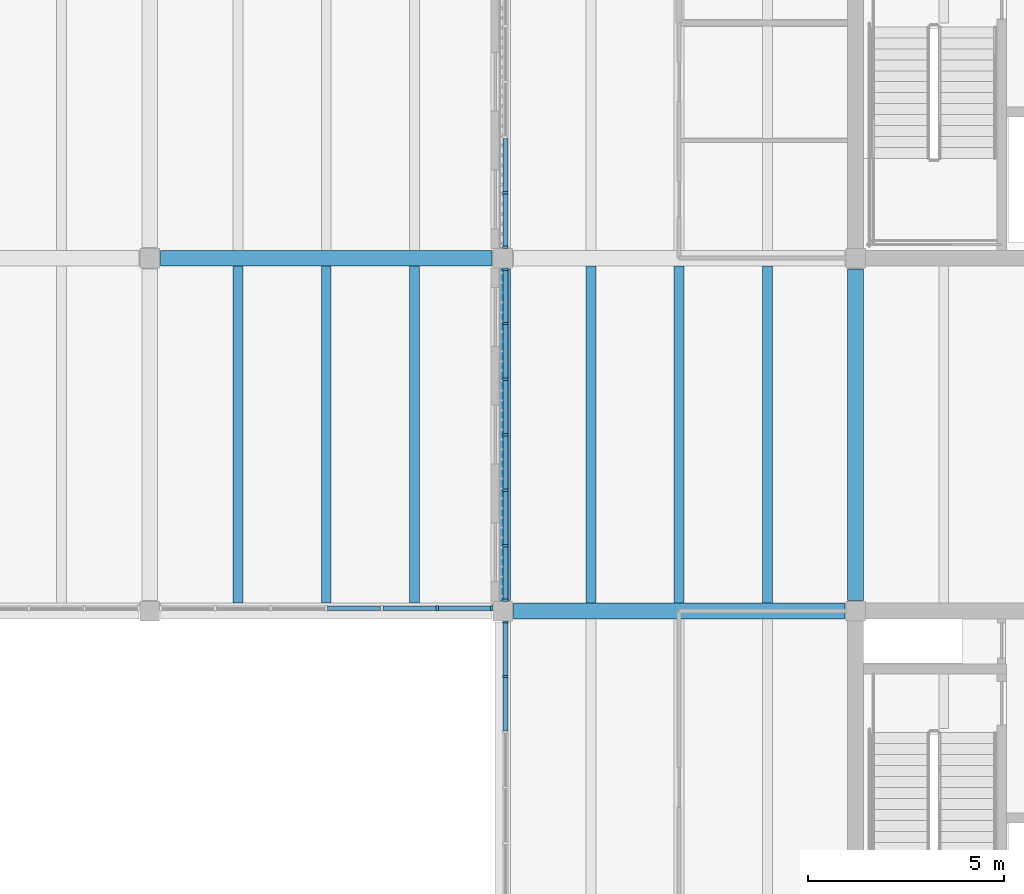
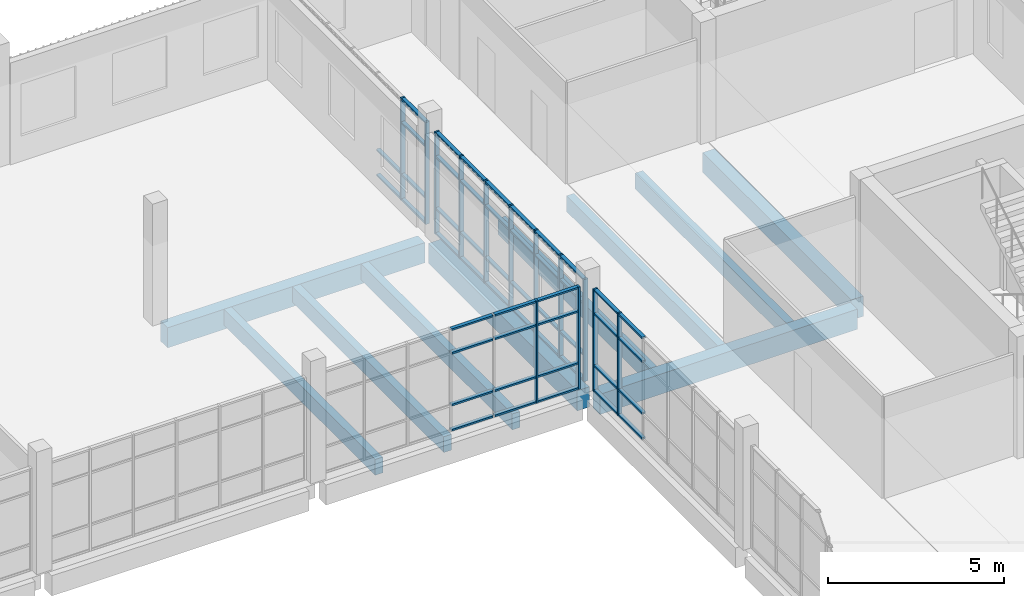
# One storey, part 24 of 92: 63 members, 10 beams, 4 elements without a shape of their own.
"""IFC4 building model written with IfcOpenShell, lengths in metres."""

from ifc_helpers import new_model, si_unit, direction, frame, origin, origin_2d, place, context, subcontext, project, spatial, rectangle, extrude, material, material_profile, profile_set, type_object, element, aggregate, save


model = new_model("IFC4")

# Units and contexts
model_context = context("Model", 3, precision=1e-05, world=origin(), true_north=direction((0.0, 1.0)))
body_context = subcontext(model_context, "Body", "Model", "MODEL_VIEW")
ifc_project = project(units=[si_unit("LENGTHUNIT", "METRE"), si_unit("AREAUNIT", "SQUARE_METRE"), si_unit("VOLUMEUNIT", "CUBIC_METRE"), si_unit("PLANEANGLEUNIT", "RADIAN"), si_unit("MASSUNIT", "GRAM", prefix="KILO")], contexts=[model_context])

# Site, building, storey
site_placement = place(None, origin())
site = spatial("IfcSite", under=ifc_project, at=site_placement, CompositionType="ELEMENT")
building_placement = place(site_placement, origin())
building = spatial("IfcBuilding", under=site, at=building_placement, Name="Merrow Basin Faculty of Sciences", CompositionType="ELEMENT")
storey_placement = place(building_placement, frame((0.0, 0.0, 4.5)))
storey = spatial("IfcBuildingStorey", under=building, at=storey_placement, Name="L01", CompositionType="ELEMENT", Elevation=4.5)

# Curtain wall, members
ifc_material_1 = material(Name="Aluminium alloy 6063", Category="aluminium")
curtain_wall_type = type_object("IfcCurtainWallType", Name="Court curtain wall 140", PredefinedType="NOTDEFINED", material=ifc_material_1)
curtain_wall_1_placement = place(storey_placement, origin())
curtain_wall_1 = element("IfcCurtainWall", 1, at=curtain_wall_1_placement, inside=storey, type_object=curtain_wall_type, Name="Court curtain wall L01 6", PredefinedType="NOTDEFINED")
ifc_material_2 = material(Name="Aluminium alloy 6063", Category="aluminium")
ifc_material_profile_1 = material_profile(ifc_material_2, rectangle(XDim=0.139892578125, YDim=0.06005859375, at=origin_2d()))
ifc_profile_set_1 = profile_set([ifc_material_profile_1], Name="Aluminium alloy 6063")
member_type_1 = type_object("IfcMemberType", Name="Aluminium mullion 60x140", PredefinedType="MULLION", material=ifc_profile_set_1)
member_1_placement = place(storey_placement, frame((54.070068359375, 113.333251953125, 0.0), z_axis=(0.0, 0.0, 1.0), x_axis=(-1.0, 0.0, 0.0)))
member_1 = element("IfcMember", 2, at=member_1_placement, type_object=member_type_1, Name="CW8 mullion 6", PredefinedType="MULLION", context=body_context, shape_type="SweptSolid", body=[
    extrude(rectangle(XDim=0.139892578125, YDim=0.06005859375, at=origin_2d()), origin(), (0.0, 0.0, 1.0), 3.550048828125),
])
member_2_placement = place(storey_placement, frame((54.070068359375, 114.719970703125, 0.0), z_axis=(0.0, 0.0, 1.0), x_axis=(-1.0, 0.0, 0.0)))
member_2 = element("IfcMember", 3, at=member_2_placement, type_object=member_type_1, Name="CW8 mullion 7", PredefinedType="MULLION", context=body_context, shape_type="SweptSolid", body=[
    extrude(rectangle(XDim=0.139892578125, YDim=0.06005859375, at=origin_2d()), origin(), (0.0, 0.0, 1.0), 3.550048828125),
])

curtain_wall_2_placement = place(storey_placement, origin())
curtain_wall_2 = element("IfcCurtainWall", 4, at=curtain_wall_2_placement, inside=storey, type_object=curtain_wall_type, Name="Court curtain wall L01 7", PredefinedType="NOTDEFINED")
member_3_placement = place(storey_placement, frame((54.070068359375, 115.280029296875, 0.0), z_axis=(0.0, 0.0, 1.0), x_axis=(-1.0, 0.0, 0.0)))
member_3 = element("IfcMember", 5, at=member_3_placement, type_object=member_type_1, Name="CW8 mullion 1", PredefinedType="MULLION", context=body_context, shape_type="SweptSolid", body=[
    extrude(rectangle(XDim=0.139892578125, YDim=0.06005859375, at=origin_2d()), origin(), (0.0, 0.0, 1.0), 3.550048828125),
])
member_4_placement = place(storey_placement, frame((54.070068359375, 116.666748046875, 0.0), z_axis=(0.0, 0.0, 1.0), x_axis=(-1.0, 0.0, 0.0)))
member_4 = element("IfcMember", 6, at=member_4_placement, type_object=member_type_1, Name="CW8 mullion 2", PredefinedType="MULLION", context=body_context, shape_type="SweptSolid", body=[
    extrude(rectangle(XDim=0.139892578125, YDim=0.06005859375, at=origin_2d()), origin(), (0.0, 0.0, 1.0), 3.550048828125),
])
member_5_placement = place(storey_placement, frame((54.070068359375, 118.083251953125, 0.0), z_axis=(0.0, 0.0, 1.0), x_axis=(-1.0, 0.0, 0.0)))
member_5 = element("IfcMember", 7, at=member_5_placement, type_object=member_type_1, Name="CW8 mullion 3", PredefinedType="MULLION", context=body_context, shape_type="SweptSolid", body=[
    extrude(rectangle(XDim=0.139892578125, YDim=0.06005859375, at=origin_2d()), origin(), (0.0, 0.0, 1.0), 3.550048828125),
])
member_6_placement = place(storey_placement, frame((54.070068359375, 119.5, 0.0), z_axis=(0.0, 0.0, 1.0), x_axis=(-1.0, 0.0, 0.0)))
member_6 = element("IfcMember", 8, at=member_6_placement, type_object=member_type_1, Name="CW8 mullion 4", PredefinedType="MULLION", context=body_context, shape_type="SweptSolid", body=[
    extrude(rectangle(XDim=0.139892578125, YDim=0.06005859375, at=origin_2d()), origin(), (0.0, 0.0, 1.0), 3.550048828125),
])
member_7_placement = place(storey_placement, frame((54.070068359375, 120.916748046875, 0.0), z_axis=(0.0, 0.0, 1.0), x_axis=(-1.0, 0.0, 0.0)))
member_7 = element("IfcMember", 9, at=member_7_placement, type_object=member_type_1, Name="CW8 mullion 5", PredefinedType="MULLION", context=body_context, shape_type="SweptSolid", body=[
    extrude(rectangle(XDim=0.139892578125, YDim=0.06005859375, at=origin_2d()), origin(), (0.0, 0.0, 1.0), 3.550048828125),
])
member_8_placement = place(storey_placement, frame((54.070068359375, 122.333251953125, 0.0), z_axis=(0.0, 0.0, 1.0), x_axis=(-1.0, 0.0, 0.0)))
member_8 = element("IfcMember", 10, at=member_8_placement, type_object=member_type_1, Name="CW8 mullion 6", PredefinedType="MULLION", context=body_context, shape_type="SweptSolid", body=[
    extrude(rectangle(XDim=0.139892578125, YDim=0.06005859375, at=origin_2d()), origin(), (0.0, 0.0, 1.0), 3.550048828125),
])
member_9_placement = place(storey_placement, frame((54.070068359375, 123.719970703125, 0.0), z_axis=(0.0, 0.0, 1.0), x_axis=(-1.0, 0.0, 0.0)))
member_9 = element("IfcMember", 11, at=member_9_placement, type_object=member_type_1, Name="CW8 mullion 7", PredefinedType="MULLION", context=body_context, shape_type="SweptSolid", body=[
    extrude(rectangle(XDim=0.139892578125, YDim=0.06005859375, at=origin_2d()), origin(), (0.0, 0.0, 1.0), 3.550048828125),
])

curtain_wall_3_placement = place(storey_placement, origin())
curtain_wall_3 = element("IfcCurtainWall", 12, at=curtain_wall_3_placement, inside=storey, type_object=curtain_wall_type, Name="Court curtain wall L01 8", PredefinedType="NOTDEFINED")
member_10_placement = place(storey_placement, frame((54.070068359375, 124.280029296875, 0.0), z_axis=(0.0, 0.0, 1.0), x_axis=(-1.0, 0.0, 0.0)))
member_10 = element("IfcMember", 13, at=member_10_placement, type_object=member_type_1, Name="CW8 mullion 1", PredefinedType="MULLION", context=body_context, shape_type="SweptSolid", body=[
    extrude(rectangle(XDim=0.139892578125, YDim=0.06005859375, at=origin_2d()), origin(), (0.0, 0.0, 1.0), 3.550048828125),
])
member_11_placement = place(storey_placement, frame((54.070068359375, 125.666748046875, 0.0), z_axis=(0.0, 0.0, 1.0), x_axis=(-1.0, 0.0, 0.0)))
member_11 = element("IfcMember", 14, at=member_11_placement, type_object=member_type_1, Name="CW8 mullion 2", PredefinedType="MULLION", context=body_context, shape_type="SweptSolid", body=[
    extrude(rectangle(XDim=0.139892578125, YDim=0.06005859375, at=origin_2d()), origin(), (0.0, 0.0, 1.0), 3.550048828125),
])

curtain_wall_4_placement = place(storey_placement, origin())
curtain_wall_4 = element("IfcCurtainWall", 15, at=curtain_wall_4_placement, inside=storey, type_object=curtain_wall_type, Name="Court curtain wall L01 3", PredefinedType="NOTDEFINED")
member_12_placement = place(storey_placement, frame((52.333251953125, 115.070068359375, 0.0), z_axis=(0.0, 0.0, 1.0), x_axis=(0.0, 1.0, 0.0)))
member_12 = element("IfcMember", 16, at=member_12_placement, type_object=member_type_1, Name="CW8 mullion 6", PredefinedType="MULLION", context=body_context, shape_type="SweptSolid", body=[
    extrude(rectangle(XDim=0.139892578125, YDim=0.06005859375, at=origin_2d()), origin(), (0.0, 0.0, 1.0), 3.550048828125),
])
member_13_placement = place(storey_placement, frame((53.719970703125, 115.070068359375, 0.0), z_axis=(0.0, 0.0, 1.0), x_axis=(0.0, 1.0, 0.0)))
member_13 = element("IfcMember", 17, at=member_13_placement, type_object=member_type_1, Name="CW8 mullion 7", PredefinedType="MULLION", context=body_context, shape_type="SweptSolid", body=[
    extrude(rectangle(XDim=0.139892578125, YDim=0.06005859375, at=origin_2d()), origin(), (0.0, 0.0, 1.0), 3.550048828125),
])

# Member
ifc_material_3 = material(Name="Aluminium alloy 6063", Category="aluminium")
ifc_material_profile_2 = material_profile(ifc_material_3, rectangle(XDim=0.1201171875, YDim=0.06005859375, at=origin_2d()))
ifc_profile_set_2 = profile_set([ifc_material_profile_2], Name="Aluminium alloy 6063")
member_type_2 = type_object("IfcMemberType", Name="Aluminium transom 60x120", PredefinedType="USERDEFINED", material=ifc_profile_set_2)
member_14_placement = place(storey_placement, frame((54.070068359375, 111.94677734375, 0.030029296875), z_axis=(0.0, 1.0, 0.0), x_axis=(-1.0, 0.0, 0.0)))
member_14 = element("IfcMember", 18, at=member_14_placement, type_object=member_type_2, Name="CW8 transom 5.1", ObjectType="TRANSOM", PredefinedType="USERDEFINED", context=body_context, shape_type="SweptSolid", body=[
    extrude(rectangle(XDim=0.1201171875, YDim=0.06005859375, at=origin_2d()), origin(), (0.0, 0.0, 1.0), 1.3564453125),
])

member_15_placement = place(storey_placement, frame((54.070068359375, 111.94677734375, 0.89990234375), z_axis=(0.0, 1.0, 0.0), x_axis=(-1.0, 0.0, 0.0)))
member_15 = element("IfcMember", 19, at=member_15_placement, type_object=member_type_2, Name="CW8 transom 5.2", ObjectType="TRANSOM", PredefinedType="USERDEFINED", context=body_context, shape_type="SweptSolid", body=[
    extrude(rectangle(XDim=0.1201171875, YDim=0.06005859375, at=origin_2d()), origin(), (0.0, 0.0, 1.0), 1.3564453125),
])

member_16_placement = place(storey_placement, frame((54.070068359375, 111.94677734375, 2.699951171875), z_axis=(0.0, 1.0, 0.0), x_axis=(-1.0, 0.0, 0.0)))
member_16 = element("IfcMember", 20, at=member_16_placement, type_object=member_type_2, Name="CW8 transom 5.3", ObjectType="TRANSOM", PredefinedType="USERDEFINED", context=body_context, shape_type="SweptSolid", body=[
    extrude(rectangle(XDim=0.1201171875, YDim=0.06005859375, at=origin_2d()), origin(), (0.0, 0.0, 1.0), 1.3564453125),
])

member_17_placement = place(storey_placement, frame((54.070068359375, 111.94677734375, 3.52001953125), z_axis=(0.0, 1.0, 0.0), x_axis=(-1.0, 0.0, 0.0)))
member_17 = element("IfcMember", 21, at=member_17_placement, type_object=member_type_2, Name="CW8 transom 5.4", ObjectType="TRANSOM", PredefinedType="USERDEFINED", context=body_context, shape_type="SweptSolid", body=[
    extrude(rectangle(XDim=0.1201171875, YDim=0.06005859375, at=origin_2d()), origin(), (0.0, 0.0, 1.0), 1.3564453125),
])

member_18_placement = place(storey_placement, frame((54.070068359375, 113.36328125, 0.030029296875), z_axis=(0.0, 1.0, 0.0), x_axis=(-1.0, 0.0, 0.0)))
member_18 = element("IfcMember", 22, at=member_18_placement, type_object=member_type_2, Name="CW8 transom 6.1", ObjectType="TRANSOM", PredefinedType="USERDEFINED", context=body_context, shape_type="SweptSolid", body=[
    extrude(rectangle(XDim=0.1201171875, YDim=0.06005859375, at=origin_2d()), origin(), (0.0, 0.0, 1.0), 1.32666015625),
])

member_19_placement = place(storey_placement, frame((54.070068359375, 113.36328125, 0.89990234375), z_axis=(0.0, 1.0, 0.0), x_axis=(-1.0, 0.0, 0.0)))
member_19 = element("IfcMember", 23, at=member_19_placement, type_object=member_type_2, Name="CW8 transom 6.2", ObjectType="TRANSOM", PredefinedType="USERDEFINED", context=body_context, shape_type="SweptSolid", body=[
    extrude(rectangle(XDim=0.1201171875, YDim=0.06005859375, at=origin_2d()), origin(), (0.0, 0.0, 1.0), 1.32666015625),
])

member_20_placement = place(storey_placement, frame((54.070068359375, 113.36328125, 2.699951171875), z_axis=(0.0, 1.0, 0.0), x_axis=(-1.0, 0.0, 0.0)))
member_20 = element("IfcMember", 24, at=member_20_placement, type_object=member_type_2, Name="CW8 transom 6.3", ObjectType="TRANSOM", PredefinedType="USERDEFINED", context=body_context, shape_type="SweptSolid", body=[
    extrude(rectangle(XDim=0.1201171875, YDim=0.06005859375, at=origin_2d()), origin(), (0.0, 0.0, 1.0), 1.32666015625),
])

member_21_placement = place(storey_placement, frame((54.070068359375, 113.36328125, 3.52001953125), z_axis=(0.0, 1.0, 0.0), x_axis=(-1.0, 0.0, 0.0)))
member_21 = element("IfcMember", 25, at=member_21_placement, type_object=member_type_2, Name="CW8 transom 6.4", ObjectType="TRANSOM", PredefinedType="USERDEFINED", context=body_context, shape_type="SweptSolid", body=[
    extrude(rectangle(XDim=0.1201171875, YDim=0.06005859375, at=origin_2d()), origin(), (0.0, 0.0, 1.0), 1.32666015625),
])

aggregate(curtain_wall_1, [member_1, member_2, member_14, member_15, member_16, member_17, member_18, member_19, member_20, member_21])

member_22_placement = place(storey_placement, frame((54.070068359375, 115.31005859375, 0.030029296875), z_axis=(0.0, 1.0, 0.0), x_axis=(-1.0, 0.0, 0.0)))
member_22 = element("IfcMember", 26, at=member_22_placement, type_object=member_type_2, Name="CW8 transom 1.1", ObjectType="TRANSOM", PredefinedType="USERDEFINED", context=body_context, shape_type="SweptSolid", body=[
    extrude(rectangle(XDim=0.1201171875, YDim=0.06005859375, at=origin_2d()), origin(), (0.0, 0.0, 1.0), 1.32666015625),
])

member_23_placement = place(storey_placement, frame((54.070068359375, 115.31005859375, 0.89990234375), z_axis=(0.0, 1.0, 0.0), x_axis=(-1.0, 0.0, 0.0)))
member_23 = element("IfcMember", 27, at=member_23_placement, type_object=member_type_2, Name="CW8 transom 1.2", ObjectType="TRANSOM", PredefinedType="USERDEFINED", context=body_context, shape_type="SweptSolid", body=[
    extrude(rectangle(XDim=0.1201171875, YDim=0.06005859375, at=origin_2d()), origin(), (0.0, 0.0, 1.0), 1.32666015625),
])

member_24_placement = place(storey_placement, frame((54.070068359375, 115.31005859375, 2.699951171875), z_axis=(0.0, 1.0, 0.0), x_axis=(-1.0, 0.0, 0.0)))
member_24 = element("IfcMember", 28, at=member_24_placement, type_object=member_type_2, Name="CW8 transom 1.3", ObjectType="TRANSOM", PredefinedType="USERDEFINED", context=body_context, shape_type="SweptSolid", body=[
    extrude(rectangle(XDim=0.1201171875, YDim=0.06005859375, at=origin_2d()), origin(), (0.0, 0.0, 1.0), 1.32666015625),
])

member_25_placement = place(storey_placement, frame((54.070068359375, 115.31005859375, 3.52001953125), z_axis=(0.0, 1.0, 0.0), x_axis=(-1.0, 0.0, 0.0)))
member_25 = element("IfcMember", 29, at=member_25_placement, type_object=member_type_2, Name="CW8 transom 1.4", ObjectType="TRANSOM", PredefinedType="USERDEFINED", context=body_context, shape_type="SweptSolid", body=[
    extrude(rectangle(XDim=0.1201171875, YDim=0.06005859375, at=origin_2d()), origin(), (0.0, 0.0, 1.0), 1.32666015625),
])

member_26_placement = place(storey_placement, frame((54.070068359375, 116.69677734375, 0.030029296875), z_axis=(0.0, 1.0, 0.0), x_axis=(-1.0, 0.0, 0.0)))
member_26 = element("IfcMember", 30, at=member_26_placement, type_object=member_type_2, Name="CW8 transom 2.1", ObjectType="TRANSOM", PredefinedType="USERDEFINED", context=body_context, shape_type="SweptSolid", body=[
    extrude(rectangle(XDim=0.1201171875, YDim=0.06005859375, at=origin_2d()), origin(), (0.0, 0.0, 1.0), 1.3564453125),
])

member_27_placement = place(storey_placement, frame((54.070068359375, 116.69677734375, 0.89990234375), z_axis=(0.0, 1.0, 0.0), x_axis=(-1.0, 0.0, 0.0)))
member_27 = element("IfcMember", 31, at=member_27_placement, type_object=member_type_2, Name="CW8 transom 2.2", ObjectType="TRANSOM", PredefinedType="USERDEFINED", context=body_context, shape_type="SweptSolid", body=[
    extrude(rectangle(XDim=0.1201171875, YDim=0.06005859375, at=origin_2d()), origin(), (0.0, 0.0, 1.0), 1.3564453125),
])

member_28_placement = place(storey_placement, frame((54.070068359375, 116.69677734375, 2.699951171875), z_axis=(0.0, 1.0, 0.0), x_axis=(-1.0, 0.0, 0.0)))
member_28 = element("IfcMember", 32, at=member_28_placement, type_object=member_type_2, Name="CW8 transom 2.3", ObjectType="TRANSOM", PredefinedType="USERDEFINED", context=body_context, shape_type="SweptSolid", body=[
    extrude(rectangle(XDim=0.1201171875, YDim=0.06005859375, at=origin_2d()), origin(), (0.0, 0.0, 1.0), 1.3564453125),
])

member_29_placement = place(storey_placement, frame((54.070068359375, 116.69677734375, 3.52001953125), z_axis=(0.0, 1.0, 0.0), x_axis=(-1.0, 0.0, 0.0)))
member_29 = element("IfcMember", 33, at=member_29_placement, type_object=member_type_2, Name="CW8 transom 2.4", ObjectType="TRANSOM", PredefinedType="USERDEFINED", context=body_context, shape_type="SweptSolid", body=[
    extrude(rectangle(XDim=0.1201171875, YDim=0.06005859375, at=origin_2d()), origin(), (0.0, 0.0, 1.0), 1.3564453125),
])

member_30_placement = place(storey_placement, frame((54.070068359375, 118.11328125, 0.030029296875), z_axis=(0.0, 1.0, 0.0), x_axis=(-1.0, 0.0, 0.0)))
member_30 = element("IfcMember", 34, at=member_30_placement, type_object=member_type_2, Name="CW8 transom 3.1", ObjectType="TRANSOM", PredefinedType="USERDEFINED", context=body_context, shape_type="SweptSolid", body=[
    extrude(rectangle(XDim=0.1201171875, YDim=0.06005859375, at=origin_2d()), origin(), (0.0, 0.0, 1.0), 1.356689453125),
])

member_31_placement = place(storey_placement, frame((54.070068359375, 118.11328125, 0.89990234375), z_axis=(0.0, 1.0, 0.0), x_axis=(-1.0, 0.0, 0.0)))
member_31 = element("IfcMember", 35, at=member_31_placement, type_object=member_type_2, Name="CW8 transom 3.2", ObjectType="TRANSOM", PredefinedType="USERDEFINED", context=body_context, shape_type="SweptSolid", body=[
    extrude(rectangle(XDim=0.1201171875, YDim=0.06005859375, at=origin_2d()), origin(), (0.0, 0.0, 1.0), 1.356689453125),
])

member_32_placement = place(storey_placement, frame((54.070068359375, 118.11328125, 2.699951171875), z_axis=(0.0, 1.0, 0.0), x_axis=(-1.0, 0.0, 0.0)))
member_32 = element("IfcMember", 36, at=member_32_placement, type_object=member_type_2, Name="CW8 transom 3.3", ObjectType="TRANSOM", PredefinedType="USERDEFINED", context=body_context, shape_type="SweptSolid", body=[
    extrude(rectangle(XDim=0.1201171875, YDim=0.06005859375, at=origin_2d()), origin(), (0.0, 0.0, 1.0), 1.356689453125),
])

member_33_placement = place(storey_placement, frame((54.070068359375, 118.11328125, 3.52001953125), z_axis=(0.0, 1.0, 0.0), x_axis=(-1.0, 0.0, 0.0)))
member_33 = element("IfcMember", 37, at=member_33_placement, type_object=member_type_2, Name="CW8 transom 3.4", ObjectType="TRANSOM", PredefinedType="USERDEFINED", context=body_context, shape_type="SweptSolid", body=[
    extrude(rectangle(XDim=0.1201171875, YDim=0.06005859375, at=origin_2d()), origin(), (0.0, 0.0, 1.0), 1.356689453125),
])

member_34_placement = place(storey_placement, frame((54.070068359375, 119.530029296875, 0.030029296875), z_axis=(0.0, 1.0, 0.0), x_axis=(-1.0, 0.0, 0.0)))
member_34 = element("IfcMember", 38, at=member_34_placement, type_object=member_type_2, Name="CW8 transom 4.1", ObjectType="TRANSOM", PredefinedType="USERDEFINED", context=body_context, shape_type="SweptSolid", body=[
    extrude(rectangle(XDim=0.1201171875, YDim=0.06005859375, at=origin_2d()), origin(), (0.0, 0.0, 1.0), 1.356689453125),
])

member_35_placement = place(storey_placement, frame((54.070068359375, 119.530029296875, 0.89990234375), z_axis=(0.0, 1.0, 0.0), x_axis=(-1.0, 0.0, 0.0)))
member_35 = element("IfcMember", 39, at=member_35_placement, type_object=member_type_2, Name="CW8 transom 4.2", ObjectType="TRANSOM", PredefinedType="USERDEFINED", context=body_context, shape_type="SweptSolid", body=[
    extrude(rectangle(XDim=0.1201171875, YDim=0.06005859375, at=origin_2d()), origin(), (0.0, 0.0, 1.0), 1.356689453125),
])

member_36_placement = place(storey_placement, frame((54.070068359375, 119.530029296875, 2.699951171875), z_axis=(0.0, 1.0, 0.0), x_axis=(-1.0, 0.0, 0.0)))
member_36 = element("IfcMember", 40, at=member_36_placement, type_object=member_type_2, Name="CW8 transom 4.3", ObjectType="TRANSOM", PredefinedType="USERDEFINED", context=body_context, shape_type="SweptSolid", body=[
    extrude(rectangle(XDim=0.1201171875, YDim=0.06005859375, at=origin_2d()), origin(), (0.0, 0.0, 1.0), 1.356689453125),
])

member_37_placement = place(storey_placement, frame((54.070068359375, 119.530029296875, 3.52001953125), z_axis=(0.0, 1.0, 0.0), x_axis=(-1.0, 0.0, 0.0)))
member_37 = element("IfcMember", 41, at=member_37_placement, type_object=member_type_2, Name="CW8 transom 4.4", ObjectType="TRANSOM", PredefinedType="USERDEFINED", context=body_context, shape_type="SweptSolid", body=[
    extrude(rectangle(XDim=0.1201171875, YDim=0.06005859375, at=origin_2d()), origin(), (0.0, 0.0, 1.0), 1.356689453125),
])

member_38_placement = place(storey_placement, frame((54.070068359375, 120.94677734375, 0.030029296875), z_axis=(0.0, 1.0, 0.0), x_axis=(-1.0, 0.0, 0.0)))
member_38 = element("IfcMember", 42, at=member_38_placement, type_object=member_type_2, Name="CW8 transom 5.1", ObjectType="TRANSOM", PredefinedType="USERDEFINED", context=body_context, shape_type="SweptSolid", body=[
    extrude(rectangle(XDim=0.1201171875, YDim=0.06005859375, at=origin_2d()), origin(), (0.0, 0.0, 1.0), 1.3564453125),
])

member_39_placement = place(storey_placement, frame((54.070068359375, 120.94677734375, 0.89990234375), z_axis=(0.0, 1.0, 0.0), x_axis=(-1.0, 0.0, 0.0)))
member_39 = element("IfcMember", 43, at=member_39_placement, type_object=member_type_2, Name="CW8 transom 5.2", ObjectType="TRANSOM", PredefinedType="USERDEFINED", context=body_context, shape_type="SweptSolid", body=[
    extrude(rectangle(XDim=0.1201171875, YDim=0.06005859375, at=origin_2d()), origin(), (0.0, 0.0, 1.0), 1.3564453125),
])

member_40_placement = place(storey_placement, frame((54.070068359375, 120.94677734375, 2.699951171875), z_axis=(0.0, 1.0, 0.0), x_axis=(-1.0, 0.0, 0.0)))
member_40 = element("IfcMember", 44, at=member_40_placement, type_object=member_type_2, Name="CW8 transom 5.3", ObjectType="TRANSOM", PredefinedType="USERDEFINED", context=body_context, shape_type="SweptSolid", body=[
    extrude(rectangle(XDim=0.1201171875, YDim=0.06005859375, at=origin_2d()), origin(), (0.0, 0.0, 1.0), 1.3564453125),
])

member_41_placement = place(storey_placement, frame((54.070068359375, 120.94677734375, 3.52001953125), z_axis=(0.0, 1.0, 0.0), x_axis=(-1.0, 0.0, 0.0)))
member_41 = element("IfcMember", 45, at=member_41_placement, type_object=member_type_2, Name="CW8 transom 5.4", ObjectType="TRANSOM", PredefinedType="USERDEFINED", context=body_context, shape_type="SweptSolid", body=[
    extrude(rectangle(XDim=0.1201171875, YDim=0.06005859375, at=origin_2d()), origin(), (0.0, 0.0, 1.0), 1.3564453125),
])

member_42_placement = place(storey_placement, frame((54.070068359375, 122.36328125, 0.030029296875), z_axis=(0.0, 1.0, 0.0), x_axis=(-1.0, 0.0, 0.0)))
member_42 = element("IfcMember", 46, at=member_42_placement, type_object=member_type_2, Name="CW8 transom 6.1", ObjectType="TRANSOM", PredefinedType="USERDEFINED", context=body_context, shape_type="SweptSolid", body=[
    extrude(rectangle(XDim=0.1201171875, YDim=0.06005859375, at=origin_2d()), origin(), (0.0, 0.0, 1.0), 1.32666015625),
])

member_43_placement = place(storey_placement, frame((54.070068359375, 122.36328125, 0.89990234375), z_axis=(0.0, 1.0, 0.0), x_axis=(-1.0, 0.0, 0.0)))
member_43 = element("IfcMember", 47, at=member_43_placement, type_object=member_type_2, Name="CW8 transom 6.2", ObjectType="TRANSOM", PredefinedType="USERDEFINED", context=body_context, shape_type="SweptSolid", body=[
    extrude(rectangle(XDim=0.1201171875, YDim=0.06005859375, at=origin_2d()), origin(), (0.0, 0.0, 1.0), 1.32666015625),
])

member_44_placement = place(storey_placement, frame((54.070068359375, 122.36328125, 2.699951171875), z_axis=(0.0, 1.0, 0.0), x_axis=(-1.0, 0.0, 0.0)))
member_44 = element("IfcMember", 48, at=member_44_placement, type_object=member_type_2, Name="CW8 transom 6.3", ObjectType="TRANSOM", PredefinedType="USERDEFINED", context=body_context, shape_type="SweptSolid", body=[
    extrude(rectangle(XDim=0.1201171875, YDim=0.06005859375, at=origin_2d()), origin(), (0.0, 0.0, 1.0), 1.32666015625),
])

member_45_placement = place(storey_placement, frame((54.070068359375, 122.36328125, 3.52001953125), z_axis=(0.0, 1.0, 0.0), x_axis=(-1.0, 0.0, 0.0)))
member_45 = element("IfcMember", 49, at=member_45_placement, type_object=member_type_2, Name="CW8 transom 6.4", ObjectType="TRANSOM", PredefinedType="USERDEFINED", context=body_context, shape_type="SweptSolid", body=[
    extrude(rectangle(XDim=0.1201171875, YDim=0.06005859375, at=origin_2d()), origin(), (0.0, 0.0, 1.0), 1.32666015625),
])

aggregate(curtain_wall_2, [member_3, member_4, member_5, member_6, member_7, member_8, member_9, member_22, member_23, member_24, member_25, member_26, member_27, member_28, member_29, member_30, member_31, member_32, member_33, member_34, member_35, member_36, member_37, member_38, member_39, member_40, member_41, member_42, member_43, member_44, member_45])

member_46_placement = place(storey_placement, frame((54.070068359375, 124.31005859375, 0.030029296875), z_axis=(0.0, 1.0, 0.0), x_axis=(-1.0, 0.0, 0.0)))
member_46 = element("IfcMember", 50, at=member_46_placement, type_object=member_type_2, Name="CW8 transom 1.1", ObjectType="TRANSOM", PredefinedType="USERDEFINED", context=body_context, shape_type="SweptSolid", body=[
    extrude(rectangle(XDim=0.1201171875, YDim=0.06005859375, at=origin_2d()), origin(), (0.0, 0.0, 1.0), 1.32666015625),
])

member_47_placement = place(storey_placement, frame((54.070068359375, 124.31005859375, 0.89990234375), z_axis=(0.0, 1.0, 0.0), x_axis=(-1.0, 0.0, 0.0)))
member_47 = element("IfcMember", 51, at=member_47_placement, type_object=member_type_2, Name="CW8 transom 1.2", ObjectType="TRANSOM", PredefinedType="USERDEFINED", context=body_context, shape_type="SweptSolid", body=[
    extrude(rectangle(XDim=0.1201171875, YDim=0.06005859375, at=origin_2d()), origin(), (0.0, 0.0, 1.0), 1.32666015625),
])

member_48_placement = place(storey_placement, frame((54.070068359375, 124.31005859375, 2.699951171875), z_axis=(0.0, 1.0, 0.0), x_axis=(-1.0, 0.0, 0.0)))
member_48 = element("IfcMember", 52, at=member_48_placement, type_object=member_type_2, Name="CW8 transom 1.3", ObjectType="TRANSOM", PredefinedType="USERDEFINED", context=body_context, shape_type="SweptSolid", body=[
    extrude(rectangle(XDim=0.1201171875, YDim=0.06005859375, at=origin_2d()), origin(), (0.0, 0.0, 1.0), 1.32666015625),
])

member_49_placement = place(storey_placement, frame((54.070068359375, 124.31005859375, 3.52001953125), z_axis=(0.0, 1.0, 0.0), x_axis=(-1.0, 0.0, 0.0)))
member_49 = element("IfcMember", 53, at=member_49_placement, type_object=member_type_2, Name="CW8 transom 1.4", ObjectType="TRANSOM", PredefinedType="USERDEFINED", context=body_context, shape_type="SweptSolid", body=[
    extrude(rectangle(XDim=0.1201171875, YDim=0.06005859375, at=origin_2d()), origin(), (0.0, 0.0, 1.0), 1.32666015625),
])

member_50_placement = place(storey_placement, frame((54.070068359375, 125.69677734375, 0.030029296875), z_axis=(0.0, 1.0, 0.0), x_axis=(-1.0, 0.0, 0.0)))
member_50 = element("IfcMember", 54, at=member_50_placement, type_object=member_type_2, Name="CW8 transom 2.1", ObjectType="TRANSOM", PredefinedType="USERDEFINED", context=body_context, shape_type="SweptSolid", body=[
    extrude(rectangle(XDim=0.1201171875, YDim=0.06005859375, at=origin_2d()), origin(), (0.0, 0.0, 1.0), 1.3564453125),
])

member_51_placement = place(storey_placement, frame((54.070068359375, 125.69677734375, 0.89990234375), z_axis=(0.0, 1.0, 0.0), x_axis=(-1.0, 0.0, 0.0)))
member_51 = element("IfcMember", 55, at=member_51_placement, type_object=member_type_2, Name="CW8 transom 2.2", ObjectType="TRANSOM", PredefinedType="USERDEFINED", context=body_context, shape_type="SweptSolid", body=[
    extrude(rectangle(XDim=0.1201171875, YDim=0.06005859375, at=origin_2d()), origin(), (0.0, 0.0, 1.0), 1.3564453125),
])

aggregate(curtain_wall_3, [member_10, member_11, member_46, member_47, member_48, member_49, member_50, member_51])

member_52_placement = place(storey_placement, frame((49.530029296875, 115.070068359375, 0.030029296875), z_axis=(1.0, 0.0, 0.0), x_axis=(0.0, 1.0, 0.0)))
member_52 = element("IfcMember", 56, at=member_52_placement, type_object=member_type_2, Name="CW8 transom 4.1", ObjectType="TRANSOM", PredefinedType="USERDEFINED", context=body_context, shape_type="SweptSolid", body=[
    extrude(rectangle(XDim=0.1201171875, YDim=0.06005859375, at=origin_2d()), origin(), (0.0, 0.0, 1.0), 1.356689453125),
])

member_53_placement = place(storey_placement, frame((49.530029296875, 115.070068359375, 0.89990234375), z_axis=(1.0, 0.0, 0.0), x_axis=(0.0, 1.0, 0.0)))
member_53 = element("IfcMember", 57, at=member_53_placement, type_object=member_type_2, Name="CW8 transom 4.2", ObjectType="TRANSOM", PredefinedType="USERDEFINED", context=body_context, shape_type="SweptSolid", body=[
    extrude(rectangle(XDim=0.1201171875, YDim=0.06005859375, at=origin_2d()), origin(), (0.0, 0.0, 1.0), 1.356689453125),
])

member_54_placement = place(storey_placement, frame((49.530029296875, 115.070068359375, 2.699951171875), z_axis=(1.0, 0.0, 0.0), x_axis=(0.0, 1.0, 0.0)))
member_54 = element("IfcMember", 58, at=member_54_placement, type_object=member_type_2, Name="CW8 transom 4.3", ObjectType="TRANSOM", PredefinedType="USERDEFINED", context=body_context, shape_type="SweptSolid", body=[
    extrude(rectangle(XDim=0.1201171875, YDim=0.06005859375, at=origin_2d()), origin(), (0.0, 0.0, 1.0), 1.356689453125),
])

member_55_placement = place(storey_placement, frame((49.530029296875, 115.070068359375, 3.52001953125), z_axis=(1.0, 0.0, 0.0), x_axis=(0.0, 1.0, 0.0)))
member_55 = element("IfcMember", 59, at=member_55_placement, type_object=member_type_2, Name="CW8 transom 4.4", ObjectType="TRANSOM", PredefinedType="USERDEFINED", context=body_context, shape_type="SweptSolid", body=[
    extrude(rectangle(XDim=0.1201171875, YDim=0.06005859375, at=origin_2d()), origin(), (0.0, 0.0, 1.0), 1.356689453125),
])

member_56_placement = place(storey_placement, frame((50.94677734375, 115.070068359375, 0.030029296875), z_axis=(1.0, 0.0, 0.0), x_axis=(0.0, 1.0, 0.0)))
member_56 = element("IfcMember", 60, at=member_56_placement, type_object=member_type_2, Name="CW8 transom 5.1", ObjectType="TRANSOM", PredefinedType="USERDEFINED", context=body_context, shape_type="SweptSolid", body=[
    extrude(rectangle(XDim=0.1201171875, YDim=0.06005859375, at=origin_2d()), origin(), (0.0, 0.0, 1.0), 1.3564453125),
])

member_57_placement = place(storey_placement, frame((50.94677734375, 115.070068359375, 0.89990234375), z_axis=(1.0, 0.0, 0.0), x_axis=(0.0, 1.0, 0.0)))
member_57 = element("IfcMember", 61, at=member_57_placement, type_object=member_type_2, Name="CW8 transom 5.2", ObjectType="TRANSOM", PredefinedType="USERDEFINED", context=body_context, shape_type="SweptSolid", body=[
    extrude(rectangle(XDim=0.1201171875, YDim=0.06005859375, at=origin_2d()), origin(), (0.0, 0.0, 1.0), 1.3564453125),
])

member_58_placement = place(storey_placement, frame((50.94677734375, 115.070068359375, 2.699951171875), z_axis=(1.0, 0.0, 0.0), x_axis=(0.0, 1.0, 0.0)))
member_58 = element("IfcMember", 62, at=member_58_placement, type_object=member_type_2, Name="CW8 transom 5.3", ObjectType="TRANSOM", PredefinedType="USERDEFINED", context=body_context, shape_type="SweptSolid", body=[
    extrude(rectangle(XDim=0.1201171875, YDim=0.06005859375, at=origin_2d()), origin(), (0.0, 0.0, 1.0), 1.3564453125),
])

member_59_placement = place(storey_placement, frame((50.94677734375, 115.070068359375, 3.52001953125), z_axis=(1.0, 0.0, 0.0), x_axis=(0.0, 1.0, 0.0)))
member_59 = element("IfcMember", 63, at=member_59_placement, type_object=member_type_2, Name="CW8 transom 5.4", ObjectType="TRANSOM", PredefinedType="USERDEFINED", context=body_context, shape_type="SweptSolid", body=[
    extrude(rectangle(XDim=0.1201171875, YDim=0.06005859375, at=origin_2d()), origin(), (0.0, 0.0, 1.0), 1.3564453125),
])

member_60_placement = place(storey_placement, frame((52.36328125, 115.070068359375, 0.030029296875), z_axis=(1.0, 0.0, 0.0), x_axis=(0.0, 1.0, 0.0)))
member_60 = element("IfcMember", 64, at=member_60_placement, type_object=member_type_2, Name="CW8 transom 6.1", ObjectType="TRANSOM", PredefinedType="USERDEFINED", context=body_context, shape_type="SweptSolid", body=[
    extrude(rectangle(XDim=0.1201171875, YDim=0.06005859375, at=origin_2d()), origin(), (0.0, 0.0, 1.0), 1.32666015625),
])

member_61_placement = place(storey_placement, frame((52.36328125, 115.070068359375, 0.89990234375), z_axis=(1.0, 0.0, 0.0), x_axis=(0.0, 1.0, 0.0)))
member_61 = element("IfcMember", 65, at=member_61_placement, type_object=member_type_2, Name="CW8 transom 6.2", ObjectType="TRANSOM", PredefinedType="USERDEFINED", context=body_context, shape_type="SweptSolid", body=[
    extrude(rectangle(XDim=0.1201171875, YDim=0.06005859375, at=origin_2d()), origin(), (0.0, 0.0, 1.0), 1.32666015625),
])

member_62_placement = place(storey_placement, frame((52.36328125, 115.070068359375, 2.699951171875), z_axis=(1.0, 0.0, 0.0), x_axis=(0.0, 1.0, 0.0)))
member_62 = element("IfcMember", 66, at=member_62_placement, type_object=member_type_2, Name="CW8 transom 6.3", ObjectType="TRANSOM", PredefinedType="USERDEFINED", context=body_context, shape_type="SweptSolid", body=[
    extrude(rectangle(XDim=0.1201171875, YDim=0.06005859375, at=origin_2d()), origin(), (0.0, 0.0, 1.0), 1.32666015625),
])

member_63_placement = place(storey_placement, frame((52.36328125, 115.070068359375, 3.52001953125), z_axis=(1.0, 0.0, 0.0), x_axis=(0.0, 1.0, 0.0)))
member_63 = element("IfcMember", 67, at=member_63_placement, type_object=member_type_2, Name="CW8 transom 6.4", ObjectType="TRANSOM", PredefinedType="USERDEFINED", context=body_context, shape_type="SweptSolid", body=[
    extrude(rectangle(XDim=0.1201171875, YDim=0.06005859375, at=origin_2d()), origin(), (0.0, 0.0, 1.0), 1.32666015625),
])

aggregate(curtain_wall_4, [member_12, member_13, member_52, member_53, member_54, member_55, member_56, member_57, member_58, member_59, member_60, member_61, member_62, member_63])

# Beams
ifc_material_4 = material(Name="Concrete C40/50", Category="concrete")
ifc_material_profile_3 = material_profile(ifc_material_4, rectangle(XDim=0.39990234375, YDim=0.699951171875, at=origin_2d()))
ifc_profile_set_3 = profile_set([ifc_material_profile_3], Name="Concrete C40/50")
beam_type_1 = type_object("IfcBeamType", Name="Beam RC400x700 C40/50", PredefinedType="BEAM", material=ifc_profile_set_3)
for number, where, z_axis, x_axis, name in (
    (68, (54.27490234375, 115.0, -0.60009765625), (1.0, 0.0, 0.0), (0.0, 1.0, 0.0), "B3 L01 013"),
    (69, (45.27490234375, 124.0, -0.60009765625), (1.0, 0.0, 0.0), (0.0, 1.0, 0.0), "B3 L01 015"),
    (70, (54.0, 115.27490234375, -0.60009765625), (0.0, 1.0, 0.0), (-1.0, 0.0, 0.0), "B3 L01 030"),
    (71, (63.0, 115.27490234375, -0.60009765625), (0.0, 1.0, 0.0), (-1.0, 0.0, 0.0), "B3 L01 036"),
):
    element("IfcBeam", number, at=place(storey_placement, frame(where, z_axis=z_axis, x_axis=x_axis)), inside=storey, type_object=beam_type_1, Name=name, PredefinedType="BEAM", context=body_context, shape_type="SweptSolid", body=[
        extrude(rectangle(XDim=0.39990234375, YDim=0.699951171875, at=origin_2d()), origin(), (0.0, 0.0, 1.0), 8.4501953125),
    ])
ifc_material_5 = material(Name="Concrete C40/50", Category="concrete")
ifc_material_profile_4 = material_profile(ifc_material_5, rectangle(XDim=0.25, YDim=0.550048828125, at=origin_2d()))
ifc_profile_set_4 = profile_set([ifc_material_profile_4], Name="Concrete C40/50")
beam_type_2 = type_object("IfcBeamType", Name="Commons floor joist RC250x550 C40/50", PredefinedType="BEAM", material=ifc_profile_set_4)
for number, where, z_axis, x_axis, name in (
    (72, (47.25, 115.199951171875, -0.52490234375), (0.0, 1.0, 0.0), (-1.0, 0.0, 0.0), "JC1 L01 054"),
    (73, (49.5, 115.199951171875, -0.52490234375), (0.0, 1.0, 0.0), (-1.0, 0.0, 0.0), "JC1 L01 055"),
    (74, (51.75, 115.199951171875, -0.52490234375), (0.0, 1.0, 0.0), (-1.0, 0.0, 0.0), "JC1 L01 056"),
    (75, (56.25, 115.199951171875, -0.52490234375), (0.0, 1.0, 0.0), (-1.0, 0.0, 0.0), "JC1 L01 078"),
    (76, (58.5, 115.199951171875, -0.52490234375), (0.0, 1.0, 0.0), (-1.0, 0.0, 0.0), "JC1 L01 079"),
    (77, (60.75, 115.199951171875, -0.52490234375), (0.0, 1.0, 0.0), (-1.0, 0.0, 0.0), "JC1 L01 080"),
):
    element("IfcBeam", number, at=place(storey_placement, frame(where, z_axis=z_axis, x_axis=x_axis)), inside=storey, type_object=beam_type_2, Name=name, PredefinedType="BEAM", context=body_context, shape_type="SweptSolid", body=[
        extrude(rectangle(XDim=0.25, YDim=0.550048828125, at=origin_2d()), origin(), (0.0, 0.0, 1.0), 8.60009765625),
    ])

save(model, "model.ifc")
